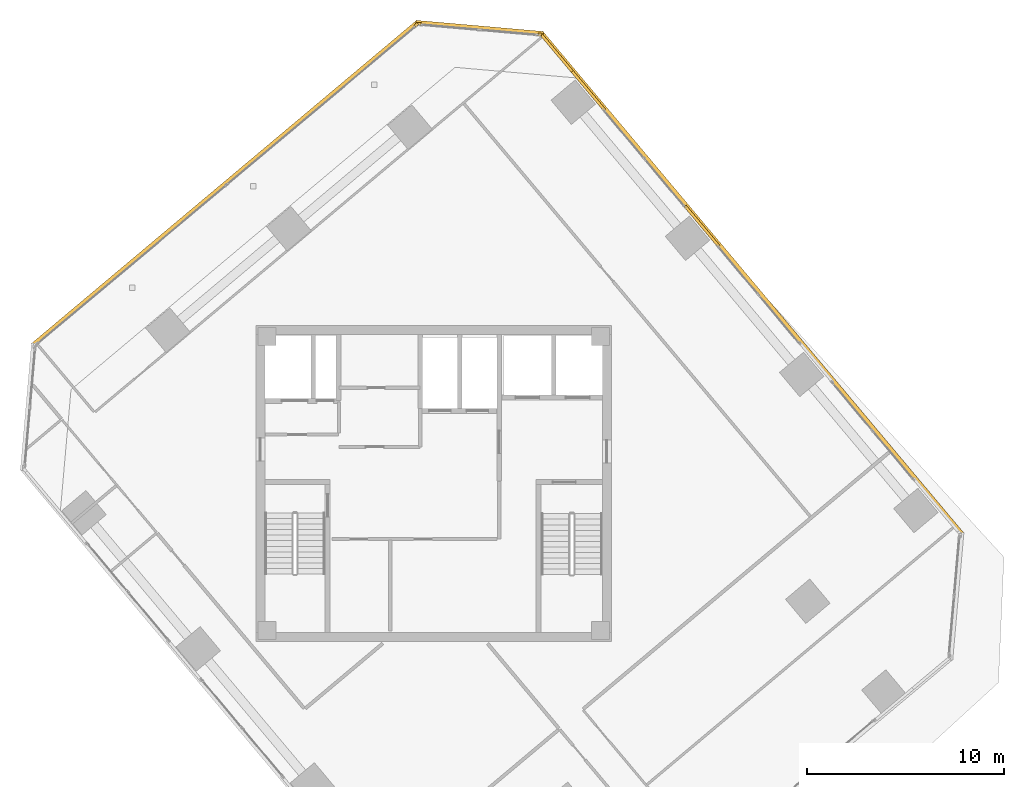
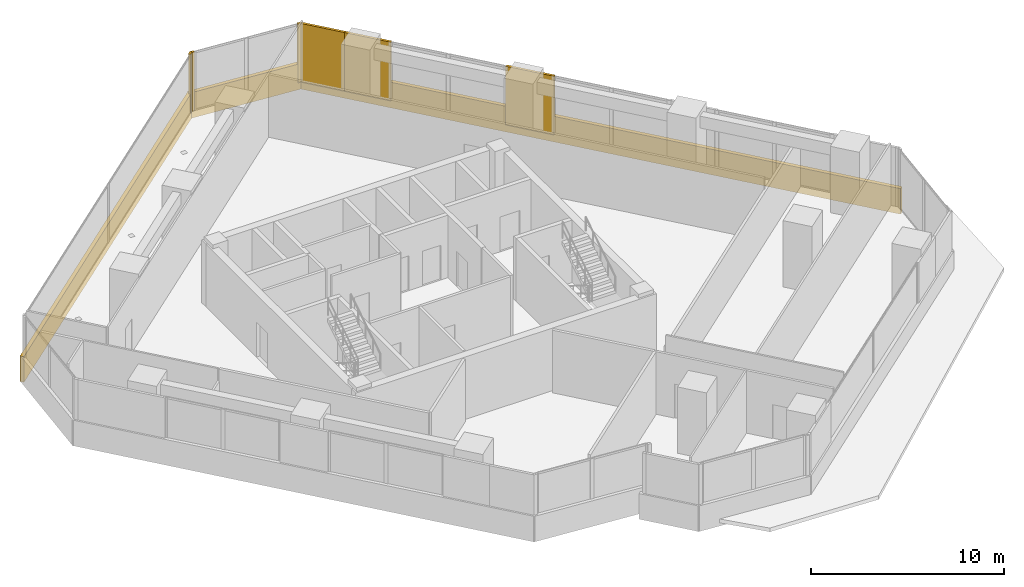
# One storey, part 17 of 17: 9 coverings.
"""IFC4 building model written with IfcOpenShell, lengths in metres."""

from ifc_helpers import new_model, si_unit, direction, frame, origin, origin_2d, place, context, subcontext, project, spatial, rectangle, extrude, source, transform, mapped, material, layer, layer_set, type_object, element, save


model = new_model("IFC4")

# Units and contexts
model_context = context("Model", 3, precision=1e-05, world=origin(), true_north=direction((0.0, 1.0)))
body_context = subcontext(model_context, "Body", "Model", "MODEL_VIEW")
ifc_project = project(units=[si_unit("LENGTHUNIT", "METRE"), si_unit("AREAUNIT", "SQUARE_METRE"), si_unit("VOLUMEUNIT", "CUBIC_METRE"), si_unit("PLANEANGLEUNIT", "RADIAN"), si_unit("MASSUNIT", "GRAM", prefix="KILO")], contexts=[model_context])

# Site, building, storey
site_placement = place(None, origin())
site = spatial("IfcSite", under=ifc_project, at=site_placement, CompositionType="ELEMENT")
building_placement = place(site_placement, origin())
building = spatial("IfcBuilding", under=site, at=building_placement, Name="Torre Montelarca", CompositionType="ELEMENT")
storey_placement = place(building_placement, frame((0.0, 0.0, 266.800048828125)))
storey = spatial("IfcBuildingStorey", under=building, at=storey_placement, Name="L60", CompositionType="ELEMENT", Elevation=266.800048828125)

# Coverings
ifc_material = material(Name="Bush-hammered warm white precast concrete C45/55", Category="concrete")
ifc_layer = layer(ifc_material, 0.139892578125, Name="Bush-hammered warm white precast concrete C45/55", Category="concrete")
ifc_layer_set = layer_set([ifc_layer], Name="Bush-hammered warm white precast concrete C45/55")
covering_type = type_object("IfcCoveringType", Name="COV-TRAY-CLAD", PredefinedType="CLADDING", material=ifc_layer_set)
shared_shape_1 = source(origin(), body_context, "Body", "SweptSolid", [
    extrude(rectangle(XDim=6.48388671875, YDim=0.219970703125, at=origin_2d()), origin(), (0.0, 0.0, 1.0), 1.6201171875),
])
covering_1_placement = place(storey_placement, frame((20.32421875, 55.070556640625, -0.4501953125), z_axis=(0.0, 0.0, 1.0), x_axis=(-0.996195458631, 0.087147049306, 0.0)))
element("IfcCovering", 1, at=covering_1_placement, inside=storey, type_object=covering_type, Name="L60 Architectural White Spandrel Tray Band TRYBOT-09", PredefinedType="CLADDING", context=body_context, shape_type="MappedRepresentation", body=[
    mapped(shared_shape_1, transform((0.0, 0.0, 0.0), scale=1.0)),
])
shared_shape_2 = source(origin(), body_context, "Body", "SweptSolid", [
    extrude(rectangle(XDim=25.52001953125, YDim=0.219970703125, at=origin_2d()), origin(), (0.0, 0.0, 1.0), 1.6201171875),
])
covering_2_placement = place(storey_placement, frame((7.447509765625, 47.19140625, -0.4501953125), z_axis=(0.0, 0.0, 1.0), x_axis=(-0.766044443119, -0.642787609687, 0.0)))
element("IfcCovering", 2, at=covering_2_placement, inside=storey, type_object=covering_type, Name="L60 Architectural White Spandrel Tray Band TRYBOT-10", PredefinedType="CLADDING", context=body_context, shape_type="MappedRepresentation", body=[
    mapped(shared_shape_2, transform((0.0, 0.0, 0.0), scale=1.0)),
])
shared_shape_3 = source(origin(), body_context, "Body", "SweptSolid", [
    extrude(rectangle(XDim=0.199951171875, YDim=0.139892578125, at=origin_2d()), origin(), (0.0, 0.0, 1.0), 3.719970703125),
])
for number, where, z_axis, x_axis, name in (
    (3, (23.37353515625, 54.743408203125, 0.0), (0.0, 0.0, 1.0), (-0.996194393855, 0.087159220123, 0.0), "L60 Architectural Column Pier Cladding E09-1"),
    (4, (17.2646484375, 55.278076171875, 0.0), (0.0, 0.0, 1.0), (-0.996194393855, 0.087159220123, 0.0), "L60 Architectural Column Pier Cladding E09-2"),
    (5, (17.126220703125, 55.234375, 0.0), (0.0, 0.0, 1.0), (-0.766043321242, -0.642788946685, 0.0), "L60 Architectural Column Pier Cladding E10-1"),
):
    element("IfcCovering", number, at=place(storey_placement, frame(where, z_axis=z_axis, x_axis=x_axis)), inside=storey, type_object=covering_type, Name=name, PredefinedType="CLADDING", context=body_context, shape_type="MappedRepresentation", body=[
        mapped(shared_shape_3, transform((0.0, 0.0, 0.0), scale=1.0)),
    ])
shared_shape_4 = source(origin(), body_context, "Body", "SweptSolid", [
    extrude(rectangle(XDim=33.219970703125, YDim=0.219970703125, at=origin_2d()), origin(), (0.0, 0.0, 1.0), 1.6201171875),
])
covering_3_placement = place(storey_placement, frame((34.11181640625, 42.125732421875, -0.4501953125), z_axis=(0.0, 0.0, 1.0), x_axis=(-0.642786272686, 0.766045564994, 0.0)))
element("IfcCovering", 6, at=covering_3_placement, inside=storey, type_object=covering_type, Name="L60 Architectural White Spandrel Tray Band TRYBOT-08", PredefinedType="CLADDING", context=body_context, shape_type="MappedRepresentation", body=[
    mapped(shared_shape_4, transform((0.0, 0.0, 0.0), scale=1.0)),
])
shared_shape_5 = source(origin(), body_context, "Body", "SweptSolid", [
    extrude(rectangle(XDim=2.659912109375, YDim=0.139892578125, at=origin_2d()), origin(), (0.0, 0.0, 1.0), 3.719970703125),
])
for number, where, z_axis, x_axis, name in (
    (7, (31.59130859375, 45.03662109375, 0.0), (0.0, 0.0, 1.0), (-0.642787609687, 0.766044443119, 0.0), "L60 Architectural Column Pier Cladding E08-4"),
    (8, (25.80615234375, 51.930908203125, 0.0), (0.0, 0.0, 1.0), (-0.642787609687, 0.766044443119, 0.0), "L60 Architectural Column Pier Cladding E08-5"),
):
    element("IfcCovering", number, at=place(storey_placement, frame(where, z_axis=z_axis, x_axis=x_axis)), inside=storey, type_object=covering_type, Name=name, PredefinedType="CLADDING", context=body_context, shape_type="MappedRepresentation", body=[
        mapped(shared_shape_5, transform((0.0, 0.0, 0.0), scale=1.0)),
    ])
shared_shape_6 = source(origin(), body_context, "Body", "SweptSolid", [
    extrude(rectangle(XDim=2.4541015625, YDim=0.139892578125, at=origin_2d()), origin(), (0.0, 0.0, 1.0), 3.719970703125),
])
covering_4_placement = place(storey_placement, frame((24.226806640625, 53.81298828125, 0.0), z_axis=(0.0, 0.0, 1.0), x_axis=(-0.642787609687, 0.766044443119, 0.0)))
element("IfcCovering", 9, at=covering_4_placement, inside=storey, type_object=covering_type, Name="L60 Architectural Column Pier Cladding E08-6", PredefinedType="CLADDING", context=body_context, shape_type="MappedRepresentation", body=[
    mapped(shared_shape_6, transform((0.0, 0.0, 0.0), scale=1.0)),
])

save(model, "model.ifc")
